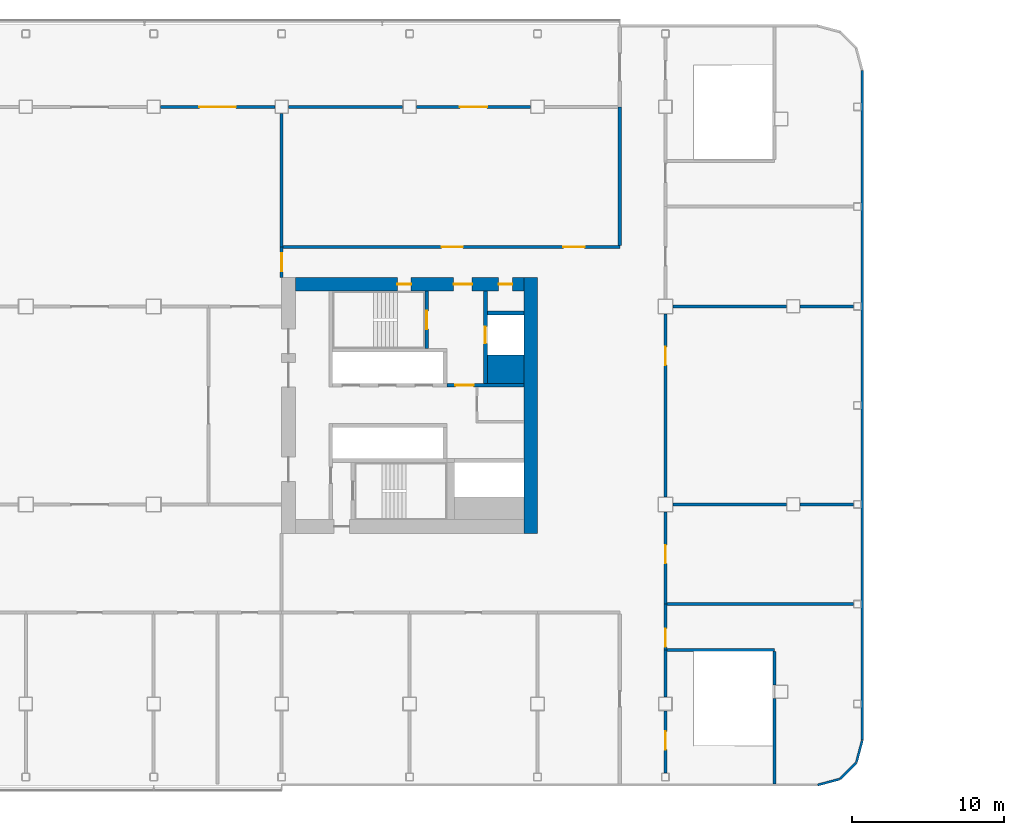
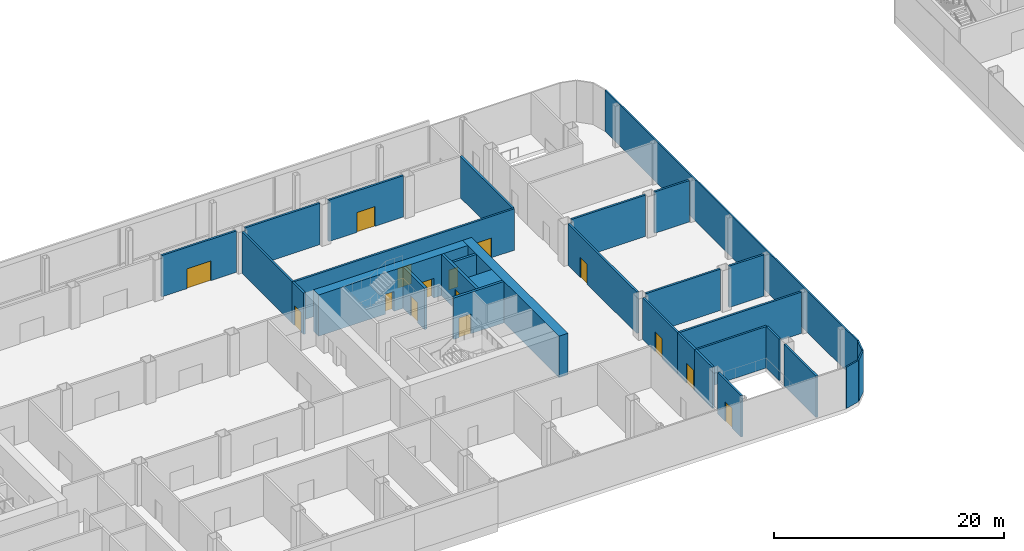
# One storey, part 23 of 53: 31 walls, 15 doors, 15 openings.
"""IFC4 building model written with IfcOpenShell, lengths in metres."""

from ifc_helpers import new_model, si_unit, direction, frame, frame_2d, origin, place, context, subcontext, project, spatial, rectangle, extrude, material, layer, layer_set, type_object, element, fill, save


model = new_model("IFC4")

# Units and contexts
model_context = context("Model", 3, precision=1e-05, world=origin(), true_north=direction((0.0, 1.0)))
body_context = subcontext(model_context, "Body", "Model", "MODEL_VIEW")
ifc_project = project(units=[si_unit("LENGTHUNIT", "METRE"), si_unit("AREAUNIT", "SQUARE_METRE"), si_unit("VOLUMEUNIT", "CUBIC_METRE"), si_unit("PLANEANGLEUNIT", "RADIAN"), si_unit("MASSUNIT", "GRAM", prefix="KILO")], contexts=[model_context])

# Site, building, storey
site_placement = place(None, origin())
site = spatial("IfcSite", under=ifc_project, at=site_placement, CompositionType="ELEMENT")
building_placement = place(site_placement, origin())
building = spatial("IfcBuilding", under=site, at=building_placement, Name="Hakoniwa Tower and Hamabe Station Hall", CompositionType="ELEMENT")
storey_placement = place(building_placement, frame((0.0, 0.0, 15.0)))
storey = spatial("IfcBuildingStorey", under=building, at=storey_placement, Name="L03", CompositionType="ELEMENT", Elevation=15.0)

# Wall
ifc_material_1 = material(Name="Concrete C80", Category="concrete")
ifc_layer_1 = layer(ifc_material_1, 0.89990234375)
ifc_layer_set_1 = layer_set([ifc_layer_1], Name="CORE WALL 900 C80")
wall_type_1 = type_object("IfcWallType", Name="CORE WALL 900 C80", PredefinedType="SHEAR", material=ifc_layer_set_1)
wall_1_placement = place(storey_placement, frame((33.14990234375, -8.39990234375, 0.0), z_axis=(0.0, 0.0, 1.0), x_axis=(0.0, 1.0, 0.0)))
element("IfcWall", 1, at=wall_1_placement, inside=storey, type_object=wall_type_1, Name="Core wall OUTER east", PredefinedType="SHEAR", context=body_context, shape_type="SweptSolid", body=[
    extrude(rectangle(XDim=16.7998046875, YDim=0.89990234375, at=frame_2d((8.39990234375, 0.0))), origin(), (0.0, 0.0, 1.0), 4.39990234375),
])

# Wall, openings, doors
wall_2_placement = place(storey_placement, frame((17.699951171875, 7.949951171875, 0.0), z_axis=(0.0, 0.0, 1.0), x_axis=(1.0, 0.0, 0.0)))
wall_2 = element("IfcWall", 2, at=wall_2_placement, inside=storey, type_object=wall_type_1, Name="Core wall NORTH east", PredefinedType="SHEAR", context=body_context, shape_type="SweptSolid", body=[
    extrude(rectangle(XDim=15.0, YDim=0.89990234375, at=frame_2d((7.5, 0.0))), origin(), (0.0, 0.0, 1.0), 4.39990234375),
])
opening_1_placement = place(wall_2_placement, frame((10.39990234375, 0.0, 0.0)))
opening_1 = element("IfcOpeningElement", 3, at=opening_1_placement, cuts=wall_2, Name="Opening CD-E-FN1-12", PredefinedType="OPENING", context=body_context, shape_type="SweptSolid", body=[
    extrude(rectangle(XDim=1.199951171875, YDim=2.10009765625, at=frame_2d((0.60009765625, 1.050048828125))), frame((0.0, 0.4599609375, 0.0), z_axis=(0.0, -1.0, 0.0), x_axis=(1.0, 0.0, 0.0)), (0.0, 0.0, 1.0), 0.919921875),
])
opening_2_placement = place(wall_2_placement, frame((13.35009765625, 0.0, 0.0)))
opening_2 = element("IfcOpeningElement", 4, at=opening_2_placement, cuts=wall_2, Name="Opening CD-E-FN2-9", PredefinedType="OPENING", context=body_context, shape_type="SweptSolid", body=[
    extrude(rectangle(XDim=0.89990234375, YDim=2.10009765625, at=frame_2d((0.449951171875, 1.050048828125))), frame((0.0, 0.4599609375, 0.0), z_axis=(0.0, -1.0, 0.0), x_axis=(1.0, 0.0, 0.0)), (0.0, 0.0, 1.0), 0.919921875),
])
opening_3_placement = place(wall_2_placement, frame((6.699951171875, 0.0, 0.0)))
opening_3 = element("IfcOpeningElement", 5, at=opening_3_placement, cuts=wall_2, Name="Opening CD-E-FN4-9", PredefinedType="OPENING", context=body_context, shape_type="SweptSolid", body=[
    extrude(rectangle(XDim=0.89990234375, YDim=2.10009765625, at=frame_2d((0.449951171875, 1.050048828125))), frame((0.0, 0.4599609375, 0.0), z_axis=(0.0, -1.0, 0.0), x_axis=(1.0, 0.0, 0.0)), (0.0, 0.0, 1.0), 0.919921875),
])
ifc_material_2 = material(Name="Steel fire door", Category="steel")
door_type_1 = type_object("IfcDoorType", Name="CORE DOOR 1200 FD60", OperationType="DOUBLE_DOOR_SINGLE_SWING", PredefinedType="DOOR", material=ifc_material_2)
door_1_placement = place(opening_1_placement, origin())
door_1 = element("IfcDoor", 6, at=door_1_placement, inside=storey, type_object=door_type_1, Name="Stair vestibule door to the fire-fighting lobby", OperationType="DOUBLE_DOOR_SINGLE_SWING", OverallHeight=2.10009765625, OverallWidth=1.199951171875, PredefinedType="DOOR", context=body_context, shape_type="SweptSolid", body=[
    extrude(rectangle(XDim=1.199951171875, YDim=2.10009765625, at=frame_2d((0.60009765625, 1.050048828125))), frame((0.0, 0.02490234375, 0.0), z_axis=(0.0, -1.0, 0.0), x_axis=(1.0, 0.0, 0.0)), (0.0, 0.0, 1.0), 0.050048828125),
])
fill(opening_1, door_1)
ifc_material_3 = material(Name="Steel fire door", Category="steel")
door_type_2 = type_object("IfcDoorType", Name="CORE DOOR 900 FD30", OperationType="NOTDEFINED", PredefinedType="DOOR", material=ifc_material_3)
door_2_placement = place(opening_2_placement, origin())
door_2 = element("IfcDoor", 7, at=door_2_placement, inside=storey, type_object=door_type_2, Name="Riser access door", OperationType="SINGLE_SWING_RIGHT", OverallHeight=2.10009765625, OverallWidth=0.89990234375, PredefinedType="DOOR", context=body_context, shape_type="SweptSolid", body=[
    extrude(rectangle(XDim=0.89990234375, YDim=2.10009765625, at=frame_2d((0.449951171875, 1.050048828125))), frame((0.0, 0.02490234375, 0.0), z_axis=(0.0, -1.0, 0.0), x_axis=(1.0, 0.0, 0.0)), (0.0, 0.0, 1.0), 0.050048828125),
])
fill(opening_2, door_2)
ifc_material_4 = material(Name="Steel fire door", Category="steel")
door_type_3 = type_object("IfcDoorType", Name="CORE DOOR 900 FD60", OperationType="NOTDEFINED", PredefinedType="DOOR", material=ifc_material_4)
door_3_placement = place(opening_3_placement, origin())
door_3 = element("IfcDoor", 8, at=door_3_placement, inside=storey, type_object=door_type_3, Name="Stair vestibule door to stair A", OperationType="SINGLE_SWING_RIGHT", OverallHeight=2.10009765625, OverallWidth=0.89990234375, PredefinedType="DOOR", context=body_context, shape_type="SweptSolid", body=[
    extrude(rectangle(XDim=0.89990234375, YDim=2.10009765625, at=frame_2d((0.449951171875, 1.050048828125))), frame((0.0, 0.02490234375, 0.0), z_axis=(0.0, -1.0, 0.0), x_axis=(1.0, 0.0, 0.0)), (0.0, 0.0, 1.0), 0.050048828125),
])
fill(opening_3, door_3)

# Wall
ifc_material_5 = material(Name="Concrete C80", Category="concrete")
ifc_layer_2 = layer(ifc_material_5, 1.85009765625)
ifc_layer_set_2 = layer_set([ifc_layer_2], Name="CORE WEB WALL 1850 C80")
wall_type_2 = type_object("IfcWallType", Name="CORE WEB WALL 1850 C80", PredefinedType="SHEAR", material=ifc_layer_set_2)
wall_3_placement = place(storey_placement, frame((30.300048828125, 2.375, 0.0), z_axis=(0.0, 0.0, 1.0), x_axis=(1.0, 0.0, 0.0)))
element("IfcWall", 9, at=wall_3_placement, inside=storey, type_object=wall_type_2, Name="Core wall CA east", PredefinedType="SHEAR", context=body_context, shape_type="SweptSolid", body=[
    extrude(rectangle(XDim=2.39990234375, YDim=1.85009765625, at=frame_2d((1.199951171875, 0.0))), origin(), (0.0, 0.0, 1.0), 4.39990234375),
])

# Wall, opening, door
ifc_material_6 = material(Name="Concrete C80", Category="concrete")
ifc_layer_3 = layer(ifc_material_6, 0.25)
ifc_layer_set_3 = layer_set([ifc_layer_3], Name="CORE WEB WALL 250 C80")
wall_type_3 = type_object("IfcWallType", Name="CORE WEB WALL 250 C80", PredefinedType="SHEAR", material=ifc_layer_set_3)
wall_4_placement = place(storey_placement, frame((26.324951171875, 3.75, 0.0), z_axis=(0.0, 0.0, 1.0), x_axis=(0.0, 1.0, 0.0)))
wall_4 = element("IfcWall", 10, at=wall_4_placement, inside=storey, type_object=wall_type_3, Name="Core wall NSE east", PredefinedType="SHEAR", context=body_context, shape_type="SweptSolid", body=[
    extrude(rectangle(XDim=3.75, YDim=0.25, at=frame_2d((1.875, 0.0))), origin(), (0.0, 0.0, 1.0), 4.39990234375),
])
opening_4_placement = place(wall_4_placement, frame((1.25, 0.0, 0.0)))
opening_4 = element("IfcOpeningElement", 11, at=opening_4_placement, cuts=wall_4, Name="Opening CD-E-SN-12", PredefinedType="OPENING", context=body_context, shape_type="SweptSolid", body=[
    extrude(rectangle(XDim=1.199951171875, YDim=2.10009765625, at=frame_2d((0.60009765625, 1.050048828125))), frame((0.0, 0.135009765625, 0.0), z_axis=(0.0, -1.0, 0.0), x_axis=(1.0, 0.0, 0.0)), (0.0, 0.0, 1.0), 0.27001953125),
])
door_4_placement = place(opening_4_placement, origin())
door_4 = element("IfcDoor", 12, at=door_4_placement, inside=storey, type_object=door_type_1, Name="Escape stair door", OperationType="DOUBLE_DOOR_SINGLE_SWING", OverallHeight=2.10009765625, OverallWidth=1.199951171875, PredefinedType="DOOR", context=body_context, shape_type="SweptSolid", body=[
    extrude(rectangle(XDim=1.199951171875, YDim=2.10009765625, at=frame_2d((0.60009765625, 1.050048828125))), frame((0.0, 0.02490234375, 0.0), z_axis=(0.0, -1.0, 0.0), x_axis=(1.0, 0.0, 0.0)), (0.0, 0.0, 1.0), 0.050048828125),
])
fill(opening_4, door_4)

wall_5_placement = place(storey_placement, frame((27.64990234375, 1.324951171875, 0.0), z_axis=(0.0, 0.0, 1.0), x_axis=(1.0, 0.0, 0.0)))
wall_5 = element("IfcWall", 13, at=wall_5_placement, inside=storey, type_object=wall_type_3, Name="Core wall ELN east", PredefinedType="SHEAR", context=body_context, shape_type="SweptSolid", body=[
    extrude(rectangle(XDim=5.050048828125, YDim=0.25, at=frame_2d((2.52490234375, 0.0))), origin(), (0.0, 0.0, 1.0), 4.39990234375),
])
opening_5_placement = place(wall_5_placement, frame((0.550048828125, 0.0, 0.0)))
opening_5 = element("IfcOpeningElement", 14, at=opening_5_placement, cuts=wall_5, Name="Opening CD-E-FL-12", PredefinedType="OPENING", context=body_context, shape_type="SweptSolid", body=[
    extrude(rectangle(XDim=1.199951171875, YDim=2.10009765625, at=frame_2d((0.60009765625, 1.050048828125))), frame((0.0, 0.135009765625, 0.0), z_axis=(0.0, -1.0, 0.0), x_axis=(1.0, 0.0, 0.0)), (0.0, 0.0, 1.0), 0.27001953125),
])
door_5_placement = place(opening_5_placement, origin())
door_5 = element("IfcDoor", 15, at=door_5_placement, inside=storey, type_object=door_type_1, Name="Stair vestibule door to the fire-fighting lobby", OperationType="DOUBLE_DOOR_SINGLE_SWING", OverallHeight=2.10009765625, OverallWidth=1.199951171875, PredefinedType="DOOR", context=body_context, shape_type="SweptSolid", body=[
    extrude(rectangle(XDim=1.199951171875, YDim=2.10009765625, at=frame_2d((0.60009765625, 1.050048828125))), frame((0.0, 0.02490234375, 0.0), z_axis=(0.0, -1.0, 0.0), x_axis=(1.0, 0.0, 0.0)), (0.0, 0.0, 1.0), 0.050048828125),
])
fill(opening_5, door_5)

wall_6_placement = place(storey_placement, frame((30.175048828125, 1.449951171875, 0.0), z_axis=(0.0, 0.0, 1.0), x_axis=(0.0, 1.0, 0.0)))
wall_6 = element("IfcWall", 16, at=wall_6_placement, inside=storey, type_object=wall_type_3, Name="Core wall FFF east", PredefinedType="SHEAR", context=body_context, shape_type="SweptSolid", body=[
    extrude(rectangle(XDim=6.050048828125, YDim=0.25, at=frame_2d((3.02490234375, 0.0))), origin(), (0.0, 0.0, 1.0), 4.39990234375),
])
opening_6_placement = place(wall_6_placement, frame((2.625, 0.0, 0.0)))
opening_6 = element("IfcOpeningElement", 17, at=opening_6_placement, cuts=wall_6, Name="Opening LD-FF2", PredefinedType="OPENING", context=body_context, shape_type="SweptSolid", body=[
    extrude(rectangle(XDim=1.10009765625, YDim=2.10009765625, at=frame_2d((0.550048828125, 1.050048828125))), frame((0.0, 0.135009765625, 0.0), z_axis=(0.0, -1.0, 0.0), x_axis=(1.0, 0.0, 0.0)), (0.0, 0.0, 1.0), 0.27001953125),
])
ifc_material_7 = material(Name="Stainless steel SUS304", Category="steel")
door_type_4 = type_object("IfcDoorType", Name="LIFT LANDING DOOR 1100 FD60", OperationType="DOUBLE_DOOR_SLIDING", PredefinedType="DOOR", material=ifc_material_7)
door_6_placement = place(opening_6_placement, origin())
door_6 = element("IfcDoor", 18, at=door_6_placement, inside=storey, type_object=door_type_4, Name="Lift landing door FF2 L03", OperationType="DOUBLE_DOOR_SLIDING", OverallHeight=2.10009765625, OverallWidth=1.10009765625, PredefinedType="DOOR", context=body_context, shape_type="SweptSolid", body=[
    extrude(rectangle(XDim=1.10009765625, YDim=2.10009765625, at=frame_2d((0.550048828125, 1.050048828125))), frame((0.0, 0.02490234375, 0.0), z_axis=(0.0, -1.0, 0.0), x_axis=(1.0, 0.0, 0.0)), (0.0, 0.0, 1.0), 0.050048828125),
])
fill(opening_6, door_6)

# Walls
wall_7_placement = place(storey_placement, frame((30.300048828125, 6.074951171875, 0.0), z_axis=(0.0, 0.0, 1.0), x_axis=(1.0, 0.0, 0.0)))
element("IfcWall", 19, at=wall_7_placement, inside=storey, type_object=wall_type_3, Name="Core wall C2 east", PredefinedType="SHEAR", context=body_context, shape_type="SweptSolid", body=[
    extrude(rectangle(XDim=2.39990234375, YDim=0.25, at=frame_2d((1.199951171875, 0.0))), origin(), (0.0, 0.0, 1.0), 4.39990234375),
])
ifc_material_8 = material(Name="Dark glass-faced aluminium panel", Category="aluminium")
ifc_layer_4 = layer(ifc_material_8, 0.14990234375)
ifc_layer_set_4 = layer_set([ifc_layer_4], Name="EXTERNAL WALL 150 EI 60")
wall_type_4 = type_object("IfcWallType", Name="EXTERNAL WALL 150 EI 60", PredefinedType="STANDARD", material=ifc_layer_set_4)
wall_8_placement = place(storey_placement, frame((54.92236328125, -21.999755859375, 0.0), z_axis=(0.0, 0.0, 1.0), x_axis=(-0.258741535379, -0.965946591624, 0.0)))
element("IfcWall", 20, at=wall_8_placement, inside=storey, type_object=wall_type_4, Name="External wall L03 1-1", PredefinedType="STANDARD", context=body_context, shape_type="SweptSolid", body=[
    extrude(rectangle(XDim=1.49267578125, YDim=0.14990234375, at=frame_2d((0.746337890625, 0.0))), origin(), (0.0, 0.0, 1.0), 4.39990234375),
])
wall_9_placement = place(storey_placement, frame((54.5166015625, -23.475341796875, 0.0), z_axis=(0.0, 0.0, 1.0), x_axis=(-0.707106781187, -0.707106781187, 0.0)))
element("IfcWall", 21, at=wall_9_placement, inside=storey, type_object=wall_type_4, Name="External wall L03 2-1", PredefinedType="STANDARD", context=body_context, shape_type="SweptSolid", body=[
    extrude(rectangle(XDim=1.47265625, YDim=0.14990234375, at=frame_2d((0.736328125, 0.0))), origin(), (0.0, 0.0, 1.0), 4.39990234375),
])
wall_10_placement = place(storey_placement, frame((53.441650390625, -24.5361328125, 0.0), z_axis=(0.0, 0.0, 1.0), x_axis=(-0.965946591624, -0.258741535379, 0.0)))
element("IfcWall", 22, at=wall_10_placement, inside=storey, type_object=wall_type_4, Name="External wall L03 3-1", PredefinedType="STANDARD", context=body_context, shape_type="SweptSolid", body=[
    extrude(rectangle(XDim=1.49267578125, YDim=0.14990234375, at=frame_2d((0.746337890625, 0.0))), origin(), (0.0, 0.0, 1.0), 4.39990234375),
])
wall_11_placement = place(storey_placement, frame((54.925048828125, 21.980224609375, 0.0), z_axis=(0.0, 0.0, 1.0), x_axis=(0.0, -1.0, 0.0)))
element("IfcWall", 23, at=wall_11_placement, inside=storey, type_object=wall_type_4, Name="External wall L03 16-1", PredefinedType="STANDARD", context=body_context, shape_type="SweptSolid", body=[
    extrude(rectangle(XDim=43.96044921875, YDim=0.14990234375, at=frame_2d((21.980224609375, 0.0))), origin(), (0.0, 0.0, 1.0), 4.39990234375),
])
ifc_material_9 = material(Name="Fire-rated gypsum board partition")
ifc_layer_5 = layer(ifc_material_9, 0.199951171875)
ifc_layer_set_5 = layer_set([ifc_layer_5], Name="FIRE PARTITION 200 EI 60")
wall_type_5 = type_object("IfcWallType", Name="FIRE PARTITION 200 EI 60", PredefinedType="PARTITIONING", material=ifc_layer_set_5)
wall_12_placement = place(storey_placement, frame((16.800048828125, 19.14990234375, 0.0), z_axis=(0.0, 0.0, 1.0), x_axis=(0.0, -1.0, 0.0)))
element("IfcWall", 24, at=wall_12_placement, inside=storey, type_object=wall_type_5, Name="Wall Grand Ballroom / Meeting Room 9", PredefinedType="PARTITIONING", context=body_context, shape_type="SweptSolid", body=[
    extrude(rectangle(XDim=8.75, YDim=0.199951171875, at=frame_2d((4.375, 0.0))), origin(), (0.0, 0.0, 1.0), 4.39990234375),
])

# Wall, opening, door
wall_13_placement = place(storey_placement, frame((16.800048828125, 8.39990234375, 0.0), z_axis=(0.0, 0.0, 1.0), x_axis=(0.0, 1.0, 0.0)))
wall_13 = element("IfcWall", 25, at=wall_13_placement, inside=storey, type_object=wall_type_5, Name="Wall East Gallery / Grand Ballroom", PredefinedType="PARTITIONING", context=body_context, shape_type="SweptSolid", body=[
    extrude(rectangle(XDim=2.0, YDim=0.199951171875, at=frame_2d((1.0, 0.0))), origin(), (0.0, 0.0, 1.0), 4.39990234375),
])
opening_7_placement = place(wall_13_placement, frame((0.39990234375, 0.0, 0.0)))
opening_7 = element("IfcOpeningElement", 26, at=opening_7_placement, cuts=wall_13, Name="Opening PD-L03-012", PredefinedType="OPENING", context=body_context, shape_type="SweptSolid", body=[
    extrude(rectangle(XDim=1.199951171875, YDim=2.10009765625, at=frame_2d((0.60009765625, 1.050048828125))), frame((0.0, 0.10986328125, 0.0), z_axis=(0.0, -1.0, 0.0), x_axis=(1.0, 0.0, 0.0)), (0.0, 0.0, 1.0), 0.219970703125),
])
ifc_material_10 = material(Name="Steel fire door", Category="steel")
door_type_5 = type_object("IfcDoorType", Name="FIRE DOOR 1200X2100 FD60", OperationType="SINGLE_SWING_LEFT", PredefinedType="DOOR", material=ifc_material_10)
door_7_placement = place(opening_7_placement, origin())
door_7 = element("IfcDoor", 27, at=door_7_placement, inside=storey, type_object=door_type_5, Name="Door PD-L03-012", OperationType="SINGLE_SWING_RIGHT", OverallHeight=2.10009765625, OverallWidth=1.199951171875, PredefinedType="DOOR", context=body_context, shape_type="SweptSolid", body=[
    extrude(rectangle(XDim=1.199951171875, YDim=2.10009765625, at=frame_2d((0.60009765625, 1.050048828125))), frame((0.0, 0.02490234375, 0.0), z_axis=(0.0, -1.0, 0.0), x_axis=(1.0, 0.0, 0.0)), (0.0, 0.0, 1.0), 0.050048828125),
])
fill(opening_7, door_7)

wall_14_placement = place(storey_placement, frame((42.0, -13.050048828125, 0.0), z_axis=(0.0, 0.0, 1.0), x_axis=(0.0, -1.0, 0.0)))
wall_14 = element("IfcWall", 28, at=wall_14_placement, inside=storey, type_object=wall_type_5, Name="Wall East Gallery / Meeting Room 4", PredefinedType="PARTITIONING", context=body_context, shape_type="SweptSolid", body=[
    extrude(rectangle(XDim=3.0, YDim=0.199951171875, at=frame_2d((1.5, 0.0))), origin(), (0.0, 0.0, 1.0), 4.39990234375),
])
opening_8_placement = place(wall_14_placement, frame((1.60009765625, 0.0, 0.0)))
opening_8 = element("IfcOpeningElement", 29, at=opening_8_placement, cuts=wall_14, Name="Opening PD-L03-046", PredefinedType="OPENING", context=body_context, shape_type="SweptSolid", body=[
    extrude(rectangle(XDim=1.199951171875, YDim=2.10009765625, at=frame_2d((0.60009765625, 1.050048828125))), frame((0.0, 0.10986328125, 0.0), z_axis=(0.0, -1.0, 0.0), x_axis=(1.0, 0.0, 0.0)), (0.0, 0.0, 1.0), 0.219970703125),
])
door_8_placement = place(opening_8_placement, origin())
door_8 = element("IfcDoor", 30, at=door_8_placement, inside=storey, type_object=door_type_5, Name="Door PD-L03-046", OperationType="SINGLE_SWING_LEFT", OverallHeight=2.10009765625, OverallWidth=1.199951171875, PredefinedType="DOOR", context=body_context, shape_type="SweptSolid", body=[
    extrude(rectangle(XDim=1.199951171875, YDim=2.10009765625, at=frame_2d((0.60009765625, 1.050048828125))), frame((0.0, 0.02490234375, 0.0), z_axis=(0.0, -1.0, 0.0), x_axis=(1.0, 0.0, 0.0)), (0.0, 0.0, 1.0), 0.050048828125),
])
fill(opening_8, door_8)

wall_15_placement = place(storey_placement, frame((42.0, -7.0, 0.0), z_axis=(0.0, 0.0, 1.0), x_axis=(0.0, -1.0, 0.0)))
wall_15 = element("IfcWall", 31, at=wall_15_placement, inside=storey, type_object=wall_type_5, Name="Wall East Gallery / Meeting Room 5", PredefinedType="PARTITIONING", context=body_context, shape_type="SweptSolid", body=[
    extrude(rectangle(XDim=6.050048828125, YDim=0.199951171875, at=frame_2d((3.02490234375, 0.0))), origin(), (0.0, 0.0, 1.0), 4.39990234375),
])
opening_9_placement = place(wall_15_placement, frame((2.175048828125, 0.0, 0.0)))
opening_9 = element("IfcOpeningElement", 32, at=opening_9_placement, cuts=wall_15, Name="Opening PD-L03-047", PredefinedType="OPENING", context=body_context, shape_type="SweptSolid", body=[
    extrude(rectangle(XDim=1.199951171875, YDim=2.10009765625, at=frame_2d((0.60009765625, 1.050048828125))), frame((0.0, 0.10986328125, 0.0), z_axis=(0.0, -1.0, 0.0), x_axis=(1.0, 0.0, 0.0)), (0.0, 0.0, 1.0), 0.219970703125),
])
door_9_placement = place(opening_9_placement, origin())
door_9 = element("IfcDoor", 33, at=door_9_placement, inside=storey, type_object=door_type_5, Name="Door PD-L03-047", OperationType="SINGLE_SWING_RIGHT", OverallHeight=2.10009765625, OverallWidth=1.199951171875, PredefinedType="DOOR", context=body_context, shape_type="SweptSolid", body=[
    extrude(rectangle(XDim=1.199951171875, YDim=2.10009765625, at=frame_2d((0.60009765625, 1.050048828125))), frame((0.0, 0.02490234375, 0.0), z_axis=(0.0, -1.0, 0.0), x_axis=(1.0, 0.0, 0.0)), (0.0, 0.0, 1.0), 0.050048828125),
])
fill(opening_9, door_9)

# Wall, openings, doors
wall_16_placement = place(storey_placement, frame((16.89990234375, 10.39990234375, 0.0), z_axis=(0.0, 0.0, 1.0), x_axis=(1.0, 0.0, 0.0)))
wall_16 = element("IfcWall", 34, at=wall_16_placement, inside=storey, type_object=wall_type_5, Name="Wall East Gallery / Meeting Room 9", PredefinedType="PARTITIONING", context=body_context, shape_type="SweptSolid", body=[
    extrude(rectangle(XDim=22.10009765625, YDim=0.199951171875, at=frame_2d((11.050048828125, 0.0))), origin(), (0.0, 0.0, 1.0), 4.39990234375),
])
opening_10_placement = place(wall_16_placement, frame((10.39990234375, 0.0, 0.0)))
opening_10 = element("IfcOpeningElement", 35, at=opening_10_placement, cuts=wall_16, Name="Opening PD-L03-015", PredefinedType="OPENING", context=body_context, shape_type="SweptSolid", body=[
    extrude(rectangle(XDim=1.39990234375, YDim=2.10009765625, at=frame_2d((0.699951171875, 1.050048828125))), frame((0.0, 0.10986328125, 0.0), z_axis=(0.0, -1.0, 0.0), x_axis=(1.0, 0.0, 0.0)), (0.0, 0.0, 1.0), 0.219970703125),
])
opening_11_placement = place(wall_16_placement, frame((18.39990234375, 0.0, 0.0)))
opening_11 = element("IfcOpeningElement", 36, at=opening_11_placement, cuts=wall_16, Name="Opening PD-L03-016", PredefinedType="OPENING", context=body_context, shape_type="SweptSolid", body=[
    extrude(rectangle(XDim=1.39990234375, YDim=2.10009765625, at=frame_2d((0.699951171875, 1.050048828125))), frame((0.0, 0.10986328125, 0.0), z_axis=(0.0, -1.0, 0.0), x_axis=(1.0, 0.0, 0.0)), (0.0, 0.0, 1.0), 0.219970703125),
])
ifc_material_11 = material(Name="Steel fire door", Category="steel")
door_type_6 = type_object("IfcDoorType", Name="FIRE DOOR 1400X2100 FD60", OperationType="SINGLE_SWING_LEFT", PredefinedType="DOOR", material=ifc_material_11)
door_10_placement = place(opening_10_placement, origin())
door_10 = element("IfcDoor", 37, at=door_10_placement, inside=storey, type_object=door_type_6, Name="Door PD-L03-015", OperationType="SINGLE_SWING_LEFT", OverallHeight=2.10009765625, OverallWidth=1.39990234375, PredefinedType="DOOR", context=body_context, shape_type="SweptSolid", body=[
    extrude(rectangle(XDim=1.39990234375, YDim=2.10009765625, at=frame_2d((0.699951171875, 1.050048828125))), frame((0.0, 0.02490234375, 0.0), z_axis=(0.0, -1.0, 0.0), x_axis=(1.0, 0.0, 0.0)), (0.0, 0.0, 1.0), 0.050048828125),
])
fill(opening_10, door_10)
door_11_placement = place(opening_11_placement, origin())
door_11 = element("IfcDoor", 38, at=door_11_placement, inside=storey, type_object=door_type_6, Name="Door PD-L03-016", OperationType="SINGLE_SWING_RIGHT", OverallHeight=2.10009765625, OverallWidth=1.39990234375, PredefinedType="DOOR", context=body_context, shape_type="SweptSolid", body=[
    extrude(rectangle(XDim=1.39990234375, YDim=2.10009765625, at=frame_2d((0.699951171875, 1.050048828125))), frame((0.0, 0.02490234375, 0.0), z_axis=(0.0, -1.0, 0.0), x_axis=(1.0, 0.0, 0.0)), (0.0, 0.0, 1.0), 0.050048828125),
])
fill(opening_11, door_11)

# Wall
wall_17_placement = place(storey_placement, frame((39.0, 10.5, 0.0), z_axis=(0.0, 0.0, 1.0), x_axis=(0.0, 1.0, 0.0)))
element("IfcWall", 39, at=wall_17_placement, inside=storey, type_object=wall_type_5, Name="Wall East Gallery / Meeting Room 9", PredefinedType="PARTITIONING", context=body_context, shape_type="SweptSolid", body=[
    extrude(rectangle(XDim=9.10009765625, YDim=0.199951171875, at=frame_2d((4.550048828125, 0.0))), origin(), (0.0, 0.0, 1.0), 4.39990234375),
])

# Wall, opening, door
wall_18_placement = place(storey_placement, frame((42.0, 6.0, 0.0), z_axis=(0.0, 0.0, 1.0), x_axis=(0.0, -1.0, 0.0)))
wall_18 = element("IfcWall", 40, at=wall_18_placement, inside=storey, type_object=wall_type_5, Name="Wall East Gallery / Video Conference Room", PredefinedType="PARTITIONING", context=body_context, shape_type="SweptSolid", body=[
    extrude(rectangle(XDim=12.0, YDim=0.199951171875, at=frame_2d((6.0, 0.0))), origin(), (0.0, 0.0, 1.0), 4.39990234375),
])
opening_12_placement = place(wall_18_placement, frame((2.14990234375, 0.0, 0.0)))
opening_12 = element("IfcOpeningElement", 41, at=opening_12_placement, cuts=wall_18, Name="Opening PD-L03-048", PredefinedType="OPENING", context=body_context, shape_type="SweptSolid", body=[
    extrude(rectangle(XDim=1.199951171875, YDim=2.10009765625, at=frame_2d((0.60009765625, 1.050048828125))), frame((0.0, 0.10986328125, 0.0), z_axis=(0.0, -1.0, 0.0), x_axis=(1.0, 0.0, 0.0)), (0.0, 0.0, 1.0), 0.219970703125),
])
door_12_placement = place(opening_12_placement, origin())
door_12 = element("IfcDoor", 42, at=door_12_placement, inside=storey, type_object=door_type_5, Name="Door PD-L03-048", OperationType="SINGLE_SWING_LEFT", OverallHeight=2.10009765625, OverallWidth=1.199951171875, PredefinedType="DOOR", context=body_context, shape_type="SweptSolid", body=[
    extrude(rectangle(XDim=1.199951171875, YDim=2.10009765625, at=frame_2d((0.60009765625, 1.050048828125))), frame((0.0, 0.02490234375, 0.0), z_axis=(0.0, -1.0, 0.0), x_axis=(1.0, 0.0, 0.0)), (0.0, 0.0, 1.0), 0.050048828125),
])
fill(opening_12, door_12)

# Walls
wall_19_placement = place(storey_placement, frame((42.10009765625, -13.050048828125, 0.0), z_axis=(0.0, 0.0, 1.0), x_axis=(1.0, 0.0, 0.0)))
element("IfcWall", 43, at=wall_19_placement, inside=storey, type_object=wall_type_5, Name="Wall Meeting Room 4 / Meeting Room 5", PredefinedType="PARTITIONING", context=body_context, shape_type="SweptSolid", body=[
    extrude(rectangle(XDim=12.25, YDim=0.199951171875, at=frame_2d((6.125, 0.0))), origin(), (0.0, 0.0, 1.0), 4.39990234375),
])
wall_20_placement = place(storey_placement, frame((42.5, -6.5, 0.0), z_axis=(0.0, 0.0, 1.0), x_axis=(1.0, 0.0, 0.0)))
element("IfcWall", 44, at=wall_20_placement, inside=storey, type_object=wall_type_5, Name="Wall Meeting Room 5 / Video Conference Room", PredefinedType="PARTITIONING", context=body_context, shape_type="SweptSolid", body=[
    extrude(rectangle(XDim=7.449951171875, YDim=0.199951171875, at=frame_2d((3.72509765625, 0.0))), origin(), (0.0, 0.0, 1.0), 4.39990234375),
])
wall_21_placement = place(storey_placement, frame((50.85009765625, -6.5, 0.0), z_axis=(0.0, 0.0, 1.0), x_axis=(1.0, 0.0, 0.0)))
element("IfcWall", 45, at=wall_21_placement, inside=storey, type_object=wall_type_5, Name="Wall Meeting Room 5 / Video Conference Room", PredefinedType="PARTITIONING", context=body_context, shape_type="SweptSolid", body=[
    extrude(rectangle(XDim=3.5, YDim=0.199951171875, at=frame_2d((1.75, 0.0))), origin(), (0.0, 0.0, 1.0), 4.39990234375),
])

# Wall, opening, door
wall_22_placement = place(storey_placement, frame((16.35009765625, 19.60009765625, 0.0), z_axis=(0.0, 0.0, 1.0), x_axis=(-1.0, 0.0, 0.0)))
wall_22 = element("IfcWall", 46, at=wall_22_placement, inside=storey, type_object=wall_type_5, Name="Wall Ballroom Pre-function Foyer / Grand Ballroom", PredefinedType="PARTITIONING", context=body_context, shape_type="SweptSolid", body=[
    extrude(rectangle(XDim=7.5, YDim=0.199951171875, at=frame_2d((3.75, 0.0))), origin(), (0.0, 0.0, 1.0), 4.39990234375),
])
opening_13_placement = place(wall_22_placement, frame((2.550048828125, 0.0, 0.0)))
opening_13 = element("IfcOpeningElement", 47, at=opening_13_placement, cuts=wall_22, Name="Opening PD-L03-008", PredefinedType="OPENING", context=body_context, shape_type="SweptSolid", body=[
    extrude(rectangle(XDim=2.39990234375, YDim=2.10009765625, at=frame_2d((1.199951171875, 1.050048828125))), frame((0.0, 0.10986328125, 0.0), z_axis=(0.0, -1.0, 0.0), x_axis=(1.0, 0.0, 0.0)), (0.0, 0.0, 1.0), 0.219970703125),
])
ifc_material_12 = material(Name="Glazed aluminium door", Category="aluminium")
door_type_7 = type_object("IfcDoorType", Name="DOUBLE GLAZED DOOR 2400X2100", OperationType="DOUBLE_DOOR_DOUBLE_SWING", PredefinedType="DOOR", material=ifc_material_12)
door_13_placement = place(opening_13_placement, origin())
door_13 = element("IfcDoor", 48, at=door_13_placement, inside=storey, type_object=door_type_7, Name="Door PD-L03-008", OperationType="DOUBLE_DOOR_DOUBLE_SWING", OverallHeight=2.10009765625, OverallWidth=2.39990234375, PredefinedType="DOOR", context=body_context, shape_type="SweptSolid", body=[
    extrude(rectangle(XDim=2.39990234375, YDim=2.10009765625, at=frame_2d((1.199951171875, 1.050048828125))), frame((0.0, 0.02490234375, 0.0), z_axis=(0.0, -1.0, 0.0), x_axis=(1.0, 0.0, 0.0)), (0.0, 0.0, 1.0), 0.050048828125),
])
fill(opening_13, door_13)

wall_23_placement = place(storey_placement, frame((33.14990234375, 19.60009765625, 0.0), z_axis=(0.0, 0.0, 1.0), x_axis=(-1.0, 0.0, 0.0)))
wall_23 = element("IfcWall", 49, at=wall_23_placement, inside=storey, type_object=wall_type_5, Name="Wall Ballroom Pre-function Foyer / Meeting Room 9", PredefinedType="PARTITIONING", context=body_context, shape_type="SweptSolid", body=[
    extrude(rectangle(XDim=7.5, YDim=0.199951171875, at=frame_2d((3.75, 0.0))), origin(), (0.0, 0.0, 1.0), 4.39990234375),
])
opening_14_placement = place(wall_23_placement, frame((2.85009765625, 0.0, 0.0)))
opening_14 = element("IfcOpeningElement", 50, at=opening_14_placement, cuts=wall_23, Name="Opening PD-L03-018", PredefinedType="OPENING", context=body_context, shape_type="SweptSolid", body=[
    extrude(rectangle(XDim=1.800048828125, YDim=2.10009765625, at=frame_2d((0.89990234375, 1.050048828125))), frame((0.0, 0.10986328125, 0.0), z_axis=(0.0, -1.0, 0.0), x_axis=(1.0, 0.0, 0.0)), (0.0, 0.0, 1.0), 0.219970703125),
])
ifc_material_13 = material(Name="Glazed aluminium door", Category="aluminium")
door_type_8 = type_object("IfcDoorType", Name="DOUBLE GLAZED DOOR 1800X2100", OperationType="DOUBLE_DOOR_DOUBLE_SWING", PredefinedType="DOOR", material=ifc_material_13)
door_14_placement = place(opening_14_placement, origin())
door_14 = element("IfcDoor", 51, at=door_14_placement, inside=storey, type_object=door_type_8, Name="Door PD-L03-018", OperationType="DOUBLE_DOOR_DOUBLE_SWING", OverallHeight=2.10009765625, OverallWidth=1.800048828125, PredefinedType="DOOR", context=body_context, shape_type="SweptSolid", body=[
    extrude(rectangle(XDim=1.800048828125, YDim=2.10009765625, at=frame_2d((0.89990234375, 1.050048828125))), frame((0.0, 0.02490234375, 0.0), z_axis=(0.0, -1.0, 0.0), x_axis=(1.0, 0.0, 0.0)), (0.0, 0.0, 1.0), 0.050048828125),
])
fill(opening_14, door_14)

# Walls
wall_24_placement = place(storey_placement, frame((24.75, 19.60009765625, 0.0), z_axis=(0.0, 0.0, 1.0), x_axis=(-1.0, 0.0, 0.0)))
element("IfcWall", 52, at=wall_24_placement, inside=storey, type_object=wall_type_5, Name="Wall Ballroom Pre-function Foyer / Meeting Room 9", PredefinedType="PARTITIONING", context=body_context, shape_type="SweptSolid", body=[
    extrude(rectangle(XDim=7.5, YDim=0.199951171875, at=frame_2d((3.75, 0.0))), origin(), (0.0, 0.0, 1.0), 4.39990234375),
])
wall_25_placement = place(storey_placement, frame((42.5, 6.5, 0.0), z_axis=(0.0, 0.0, 1.0), x_axis=(1.0, 0.0, 0.0)))
element("IfcWall", 53, at=wall_25_placement, inside=storey, type_object=wall_type_5, Name="Wall Video Conference Room / Meeting Room 6", PredefinedType="PARTITIONING", context=body_context, shape_type="SweptSolid", body=[
    extrude(rectangle(XDim=7.449951171875, YDim=0.199951171875, at=frame_2d((3.72509765625, 0.0))), origin(), (0.0, 0.0, 1.0), 4.39990234375),
])
wall_26_placement = place(storey_placement, frame((50.85009765625, 6.5, 0.0), z_axis=(0.0, 0.0, 1.0), x_axis=(1.0, 0.0, 0.0)))
element("IfcWall", 54, at=wall_26_placement, inside=storey, type_object=wall_type_5, Name="Wall Video Conference Room / Meeting Room 6", PredefinedType="PARTITIONING", context=body_context, shape_type="SweptSolid", body=[
    extrude(rectangle(XDim=3.5, YDim=0.199951171875, at=frame_2d((1.75, 0.0))), origin(), (0.0, 0.0, 1.0), 4.39990234375),
])

# Wall, opening, door
ifc_material_14 = material(Name="Concrete C40", Category="concrete")
ifc_layer_6 = layer(ifc_material_14, 0.199951171875)
ifc_layer_set_6 = layer_set([ifc_layer_6], Name="RC WALL 200 EI 60 C40")
wall_type_6 = type_object("IfcWallType", Name="RC WALL 200 EI 60 C40", PredefinedType="SHEAR", material=ifc_layer_set_6)
wall_27_placement = place(storey_placement, frame((42.0, -24.14990234375, 0.0), z_axis=(0.0, 0.0, 1.0), x_axis=(0.0, 1.0, 0.0)))
wall_27 = element("IfcWall", 55, at=wall_27_placement, inside=storey, type_object=wall_type_6, Name="Wall Escape Stair PS3 / East Gallery", PredefinedType="SHEAR", context=body_context, shape_type="SweptSolid", body=[
    extrude(rectangle(XDim=4.099853515625, YDim=0.199951171875, at=frame_2d((2.0498046875, 0.0))), origin(), (0.0, 0.0, 1.0), 4.39990234375),
])
opening_15_placement = place(wall_27_placement, frame((1.550048828125, 0.0, 0.0)))
opening_15 = element("IfcOpeningElement", 56, at=opening_15_placement, cuts=wall_27, Name="Opening PD-L03-042", PredefinedType="OPENING", context=body_context, shape_type="SweptSolid", body=[
    extrude(rectangle(XDim=1.199951171875, YDim=2.10009765625, at=frame_2d((0.60009765625, 1.050048828125))), frame((0.0, 0.10986328125, 0.0), z_axis=(0.0, -1.0, 0.0), x_axis=(1.0, 0.0, 0.0)), (0.0, 0.0, 1.0), 0.219970703125),
])
door_15_placement = place(opening_15_placement, origin())
door_15 = element("IfcDoor", 57, at=door_15_placement, inside=storey, type_object=door_type_5, Name="Escape stair door PS3", OperationType="SINGLE_SWING_RIGHT", OverallHeight=2.10009765625, OverallWidth=1.199951171875, PredefinedType="DOOR", context=body_context, shape_type="SweptSolid", body=[
    extrude(rectangle(XDim=1.199951171875, YDim=2.10009765625, at=frame_2d((0.60009765625, 1.050048828125))), frame((0.0, 0.02490234375, 0.0), z_axis=(0.0, -1.0, 0.0), x_axis=(1.0, 0.0, 0.0)), (0.0, 0.0, 1.0), 0.050048828125),
])
fill(opening_15, door_15)

# Walls
wall_28_placement = place(storey_placement, frame((42.0, -19.14990234375, 0.0), z_axis=(0.0, 0.0, 1.0), x_axis=(0.0, 1.0, 0.0)))
element("IfcWall", 58, at=wall_28_placement, inside=storey, type_object=wall_type_6, Name="Wall Escape Stair PS3 / East Gallery", PredefinedType="SHEAR", context=body_context, shape_type="SweptSolid", body=[
    extrude(rectangle(XDim=3.099853515625, YDim=0.199951171875, at=frame_2d((1.5498046875, 0.0))), origin(), (0.0, 0.0, 1.0), 4.39990234375),
])
wall_29_placement = place(storey_placement, frame((42.10009765625, -16.050048828125, 0.0), z_axis=(0.0, 0.0, 1.0), x_axis=(1.0, 0.0, 0.0)))
element("IfcWall", 59, at=wall_29_placement, inside=storey, type_object=wall_type_6, Name="Wall Escape Stair PS3 / Meeting Room 4", PredefinedType="SHEAR", context=body_context, shape_type="SweptSolid", body=[
    extrude(rectangle(XDim=7.0498046875, YDim=0.199951171875, at=frame_2d((3.52490234375, 0.0))), origin(), (0.0, 0.0, 1.0), 4.39990234375),
])
wall_30_placement = place(storey_placement, frame((49.14990234375, -16.14990234375, 0.0), z_axis=(0.0, 0.0, 1.0), x_axis=(0.0, -1.0, 0.0)))
element("IfcWall", 60, at=wall_30_placement, inside=storey, type_object=wall_type_6, Name="Wall Escape Stair PS3 / Meeting Room 4", PredefinedType="SHEAR", context=body_context, shape_type="SweptSolid", body=[
    extrude(rectangle(XDim=2.203125, YDim=0.199951171875, at=frame_2d((1.1015625, 0.0))), origin(), (0.0, 0.0, 1.0), 4.39990234375),
])
wall_31_placement = place(storey_placement, frame((49.14990234375, -19.253173828125, 0.0), z_axis=(0.0, 0.0, 1.0), x_axis=(0.0, -1.0, 0.0)))
element("IfcWall", 61, at=wall_31_placement, inside=storey, type_object=wall_type_6, Name="Wall Escape Stair PS3 / Meeting Room 4", PredefinedType="SHEAR", context=body_context, shape_type="SweptSolid", body=[
    extrude(rectangle(XDim=5.596923828125, YDim=0.199951171875, at=frame_2d((2.79833984375, 0.0))), origin(), (0.0, 0.0, 1.0), 4.39990234375),
])

save(model, "model.ifc")
